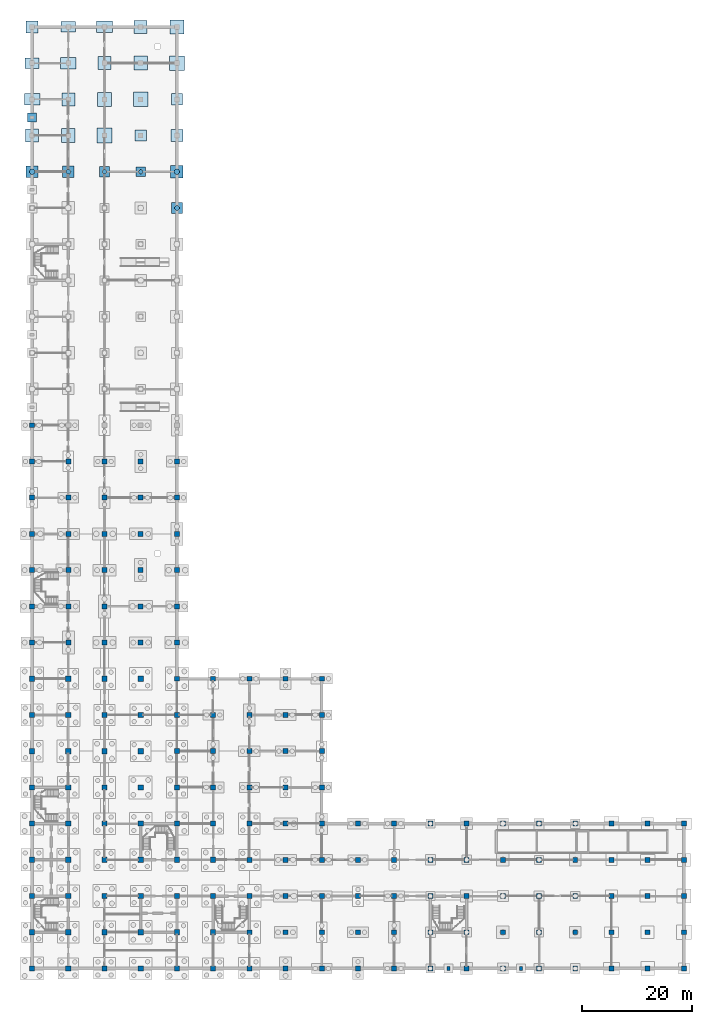
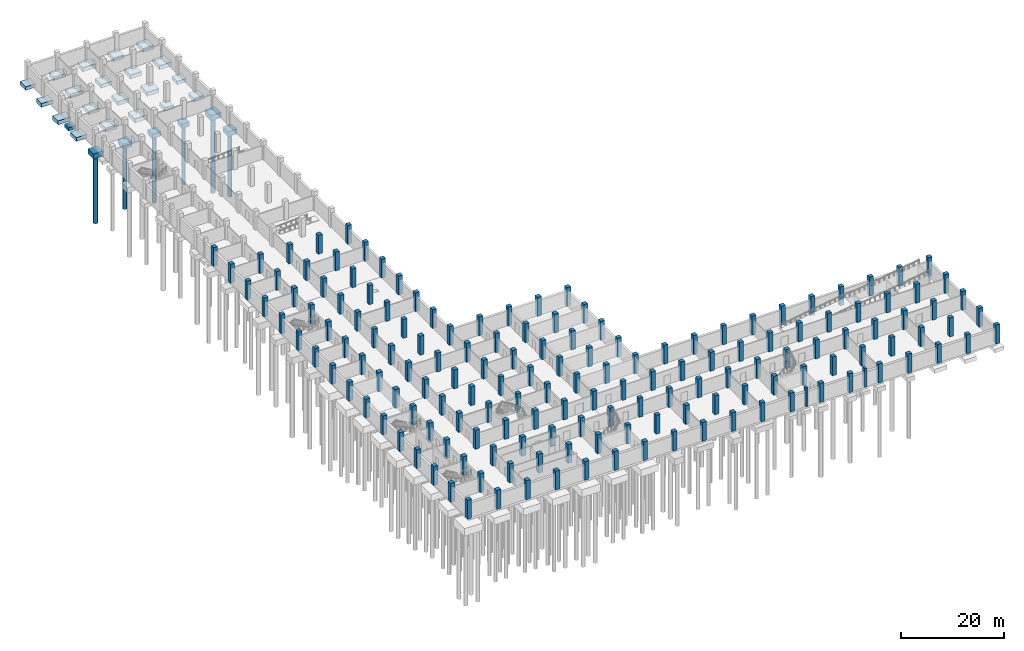
# One storey, part 5 of 18: 164 columns, 27 footings, 6 piles.
"""IFC4 building model written with IfcOpenShell, lengths in metres."""

from ifc_helpers import new_model, si_unit, direction, frame, origin, origin_2d, place, context, subcontext, project, spatial, rectangle, circle, extrude, material, material_profile, profile_set, type_object, element, save


model = new_model("IFC4")

# Units and contexts
model_context = context("Model", 3, precision=1e-05, world=origin(), true_north=direction((0.0, 1.0)))
body_context = subcontext(model_context, "Body", "Model", "MODEL_VIEW")
ifc_project = project(units=[si_unit("LENGTHUNIT", "METRE"), si_unit("AREAUNIT", "SQUARE_METRE"), si_unit("VOLUMEUNIT", "CUBIC_METRE"), si_unit("PLANEANGLEUNIT", "RADIAN"), si_unit("MASSUNIT", "GRAM", prefix="KILO")], contexts=[model_context])

# Site, building, storey
site_placement = place(None, origin())
site = spatial("IfcSite", under=ifc_project, at=site_placement, CompositionType="ELEMENT")
building_placement = place(site_placement, origin())
building = spatial("IfcBuilding", under=site, at=building_placement, Name="Rusizi Kubbe Research Institute", CompositionType="ELEMENT")
storey_placement = place(building_placement, frame((0.0, 0.0, -4.5)))
storey = spatial("IfcBuildingStorey", under=building, at=storey_placement, Name="B01", CompositionType="ELEMENT", Elevation=-4.5)

# Piles
ifc_material_1 = material(Name="Concrete C40/50", Category="concrete")
ifc_material_profile_1 = material_profile(ifc_material_1, circle(Radius=0.39990234375, at=origin_2d()), Name="PILE-D800")
ifc_profile_set_1 = profile_set([ifc_material_profile_1], Name="Concrete C40/50")
pile_type_1 = type_object("IfcPileType", Name="P-01", PredefinedType="BORED", material=ifc_profile_set_1)
pile_1_placement = place(storey_placement, frame((19.800048828125, 145.199951171875, -1.760009765625), z_axis=(0.0, 0.0, -1.0), x_axis=(1.0, 0.0, 0.0)))
element("IfcPile", 1, at=pile_1_placement, inside=storey, type_object=pile_type_1, Name="Bored Pile P-01 (3,22)-1", PredefinedType="BORED", context=body_context, shape_type="SweptSolid", body=[
    extrude(circle(Radius=0.39990234375, at=origin_2d()), origin(), (0.0, 0.0, 1.0), 14.0),
])
ifc_material_2 = material(Name="Concrete C40/50", Category="concrete")
ifc_material_profile_2 = material_profile(ifc_material_2, circle(Radius=0.39990234375, at=origin_2d()), Name="PILE-D800")
ifc_profile_set_2 = profile_set([ifc_material_profile_2], Name="Concrete C40/50")
pile_type_2 = type_object("IfcPileType", Name="P-02", PredefinedType="BORED", material=ifc_profile_set_2)
pile_2_placement = place(storey_placement, frame((13.199951171875, 145.199951171875, -1.820068359375), z_axis=(0.0, 0.0, -1.0), x_axis=(1.0, 0.0, 0.0)))
element("IfcPile", 2, at=pile_2_placement, inside=storey, type_object=pile_type_2, Name="Bored Pile P-02 (2,22)-1", PredefinedType="BORED", context=body_context, shape_type="SweptSolid", body=[
    extrude(circle(Radius=0.39990234375, at=origin_2d()), origin(), (0.0, 0.0, 1.0), 16.0),
])
ifc_material_3 = material(Name="Concrete C40/50", Category="concrete")
ifc_material_profile_3 = material_profile(ifc_material_3, circle(Radius=0.449951171875, at=origin_2d()), Name="PILE-D900")
ifc_profile_set_3 = profile_set([ifc_material_profile_3], Name="Concrete C40/50")
pile_type_3 = type_object("IfcPileType", Name="P-03", PredefinedType="BORED", material=ifc_profile_set_3)
for number, where, z_axis, x_axis, name in (
    (3, (6.60009765625, 145.199951171875, -1.8798828125), (0.0, 0.0, -1.0), (1.0, 0.0, 0.0), "Bored Pile P-03 (1,22)-1"),
    (4, (26.39990234375, 138.60009765625, -1.8798828125), (0.0, 0.0, -1.0), (1.0, 0.0, 0.0), "Bored Pile P-03 (4,21)-1"),
):
    element("IfcPile", number, at=place(storey_placement, frame(where, z_axis=z_axis, x_axis=x_axis)), inside=storey, type_object=pile_type_3, Name=name, PredefinedType="BORED", context=body_context, shape_type="SweptSolid", body=[
        extrude(circle(Radius=0.449951171875, at=origin_2d()), origin(), (0.0, 0.0, 1.0), 15.0),
    ])
ifc_material_4 = material(Name="Concrete C40/50", Category="concrete")
ifc_material_profile_4 = material_profile(ifc_material_4, circle(Radius=0.5, at=origin_2d()), Name="PILE-D1000")
ifc_profile_set_4 = profile_set([ifc_material_profile_4], Name="Concrete C40/50")
pile_type_4 = type_object("IfcPileType", Name="P-05", PredefinedType="BORED", material=ifc_profile_set_4)
pile_3_placement = place(storey_placement, frame((0.0, 145.199951171875, -1.919921875), z_axis=(0.0, 0.0, -1.0), x_axis=(1.0, 0.0, 0.0)))
element("IfcPile", 5, at=pile_3_placement, inside=storey, type_object=pile_type_4, Name="Bored Pile P-05 (0,22)-1", PredefinedType="BORED", context=body_context, shape_type="SweptSolid", body=[
    extrude(circle(Radius=0.5, at=origin_2d()), origin(), (0.0, 0.0, 1.0), 16.0),
])
ifc_material_5 = material(Name="Concrete C40/50", Category="concrete")
ifc_material_profile_5 = material_profile(ifc_material_5, circle(Radius=0.5, at=origin_2d()), Name="PILE-D1000")
ifc_profile_set_5 = profile_set([ifc_material_profile_5], Name="Concrete C40/50")
pile_type_5 = type_object("IfcPileType", Name="P-06", PredefinedType="BORED", material=ifc_profile_set_5)
pile_4_placement = place(storey_placement, frame((26.39990234375, 145.199951171875, -1.9599609375), z_axis=(0.0, 0.0, -1.0), x_axis=(1.0, 0.0, 0.0)))
element("IfcPile", 6, at=pile_4_placement, inside=storey, type_object=pile_type_5, Name="Bored Pile P-06 (4,22)-1", PredefinedType="BORED", context=body_context, shape_type="SweptSolid", body=[
    extrude(circle(Radius=0.5, at=origin_2d()), origin(), (0.0, 0.0, 1.0), 18.0),
])

# Footings
ifc_material_6 = material(Name="Concrete C40/50", Category="concrete")
footing_type_1 = type_object("IfcFootingType", Name="PC-15", PredefinedType="PILE_CAP", material=ifc_material_6)
footing_1_placement = place(storey_placement, frame((0.0, 145.199951171875, -1.919921875), z_axis=(0.0, 0.0, 1.0), x_axis=(1.0, 0.0, 0.0)))
element("IfcFooting", 7, at=footing_1_placement, inside=storey, type_object=footing_type_1, Name="Pile Cap PC-15 (0,22)", PredefinedType="PILE_CAP", context=body_context, shape_type="SweptSolid", body=[
    extrude(rectangle(XDim=2.159912109375, YDim=2.159912109375, at=origin_2d()), origin(), (0.0, 0.0, 1.0), 1.219970703125),
])
ifc_material_7 = material(Name="Concrete C40/50", Category="concrete")
footing_type_2 = type_object("IfcFootingType", Name="PC-16", PredefinedType="PILE_CAP", material=ifc_material_7)
for number, where, z_axis, x_axis, name in (
    (8, (6.60009765625, 145.199951171875, -1.8798828125), (0.0, 0.0, 1.0), (1.0, 0.0, 0.0), "Pile Cap PC-16 (1,22)"),
    (9, (26.39990234375, 138.60009765625, -1.8798828125), (0.0, 0.0, 1.0), (1.0, 0.0, 0.0), "Pile Cap PC-16 (4,21)"),
):
    element("IfcFooting", number, at=place(storey_placement, frame(where, z_axis=z_axis, x_axis=x_axis)), inside=storey, type_object=footing_type_2, Name=name, PredefinedType="PILE_CAP", context=body_context, shape_type="SweptSolid", body=[
        extrude(rectangle(XDim=2.02001953125, YDim=2.02001953125, at=origin_2d()), origin(), (0.0, 0.0, 1.0), 1.179931640625),
    ])
ifc_material_8 = material(Name="Concrete C40/50", Category="concrete")
footing_type_3 = type_object("IfcFootingType", Name="PC-17", PredefinedType="PILE_CAP", material=ifc_material_8)
footing_2_placement = place(storey_placement, frame((13.199951171875, 145.199951171875, -1.820068359375), z_axis=(0.0, 0.0, 1.0), x_axis=(1.0, 0.0, 0.0)))
element("IfcFooting", 10, at=footing_2_placement, inside=storey, type_object=footing_type_3, Name="Pile Cap PC-17 (2,22)", PredefinedType="PILE_CAP", context=body_context, shape_type="SweptSolid", body=[
    extrude(rectangle(XDim=1.8798828125, YDim=1.8798828125, at=origin_2d()), origin(), (0.0, 0.0, 1.0), 1.1201171875),
])
ifc_material_9 = material(Name="Concrete C40/50", Category="concrete")
footing_type_4 = type_object("IfcFootingType", Name="PC-18", PredefinedType="PILE_CAP", material=ifc_material_9)
footing_3_placement = place(storey_placement, frame((19.800048828125, 145.199951171875, -1.760009765625), z_axis=(0.0, 0.0, 1.0), x_axis=(1.0, 0.0, 0.0)))
element("IfcFooting", 11, at=footing_3_placement, inside=storey, type_object=footing_type_4, Name="Pile Cap PC-18 (3,22)", PredefinedType="PILE_CAP", context=body_context, shape_type="SweptSolid", body=[
    extrude(rectangle(XDim=1.739990234375, YDim=1.739990234375, at=origin_2d()), origin(), (0.0, 0.0, 1.0), 1.06005859375),
])
ifc_material_10 = material(Name="Concrete C40/50", Category="concrete")
footing_type_5 = type_object("IfcFootingType", Name="PC-19", PredefinedType="PILE_CAP", material=ifc_material_10)
footing_4_placement = place(storey_placement, frame((26.39990234375, 145.199951171875, -1.9599609375), z_axis=(0.0, 0.0, 1.0), x_axis=(1.0, 0.0, 0.0)))
element("IfcFooting", 12, at=footing_4_placement, inside=storey, type_object=footing_type_5, Name="Pile Cap PC-19 (4,22)", PredefinedType="PILE_CAP", context=body_context, shape_type="SweptSolid", body=[
    extrude(rectangle(XDim=2.280029296875, YDim=2.280029296875, at=origin_2d()), origin(), (0.0, 0.0, 1.0), 1.260009765625),
])
ifc_material_11 = material(Name="Concrete C40/50", Category="concrete")
footing_type_6 = type_object("IfcFootingType", Name="PF-01", PredefinedType="PAD_FOOTING", material=ifc_material_11)
for number, where, z_axis, x_axis, name in (
    (13, (13.199951171875, 151.800048828125, -1.659912109375), (0.0, 0.0, 1.0), (1.0, 0.0, 0.0), "Pad Footing PF-01 (2,23)"),
    (14, (19.800048828125, 158.39990234375, -1.659912109375), (0.0, 0.0, 1.0), (1.0, 0.0, 0.0), "Pad Footing PF-01 (3,24)"),
    (15, (26.39990234375, 165.0, -1.659912109375), (0.0, 0.0, 1.0), (1.0, 0.0, 0.0), "Pad Footing PF-01 (4,25)"),
):
    element("IfcFooting", number, at=place(storey_placement, frame(where, z_axis=z_axis, x_axis=x_axis)), inside=storey, type_object=footing_type_6, Name=name, PredefinedType="PAD_FOOTING", context=body_context, shape_type="SweptSolid", body=[
        extrude(rectangle(XDim=2.679931640625, YDim=2.679931640625, at=origin_2d()), origin(), (0.0, 0.0, 1.0), 0.9599609375),
    ])
ifc_material_12 = material(Name="Concrete C40/50", Category="concrete")
footing_type_7 = type_object("IfcFootingType", Name="PF-02", PredefinedType="PAD_FOOTING", material=ifc_material_12)
for number, where, z_axis, x_axis, name in (
    (16, (6.60009765625, 151.800048828125, -1.619873046875), (0.0, 0.0, 1.0), (1.0, 0.0, 0.0), "Pad Footing PF-02 (1,23)"),
    (17, (13.199951171875, 158.39990234375, -1.619873046875), (0.0, 0.0, 1.0), (1.0, 0.0, 0.0), "Pad Footing PF-02 (2,24)"),
    (18, (19.800048828125, 165.0, -1.619873046875), (0.0, 0.0, 1.0), (1.0, 0.0, 0.0), "Pad Footing PF-02 (3,25)"),
    (19, (26.39990234375, 171.60009765625, -1.619873046875), (0.0, 0.0, 1.0), (1.0, 0.0, 0.0), "Pad Footing PF-02 (4,26)"),
):
    element("IfcFooting", number, at=place(storey_placement, frame(where, z_axis=z_axis, x_axis=x_axis)), inside=storey, type_object=footing_type_7, Name=name, PredefinedType="PAD_FOOTING", context=body_context, shape_type="SweptSolid", body=[
        extrude(rectangle(XDim=2.52001953125, YDim=2.52001953125, at=origin_2d()), origin(), (0.0, 0.0, 1.0), 0.919921875),
    ])
ifc_material_13 = material(Name="Concrete C40/50", Category="concrete")
footing_type_8 = type_object("IfcFootingType", Name="PF-03", PredefinedType="PAD_FOOTING", material=ifc_material_13)
for number, where, z_axis, x_axis, name in (
    (20, (0.0, 151.800048828125, -1.579833984375), (0.0, 0.0, 1.0), (1.0, 0.0, 0.0), "Pad Footing PF-03 (0,23)"),
    (21, (6.60009765625, 158.39990234375, -1.579833984375), (0.0, 0.0, 1.0), (1.0, 0.0, 0.0), "Pad Footing PF-03 (1,24)"),
    (22, (13.199951171875, 165.0, -1.579833984375), (0.0, 0.0, 1.0), (1.0, 0.0, 0.0), "Pad Footing PF-03 (2,25)"),
    (23, (19.800048828125, 171.60009765625, -1.579833984375), (0.0, 0.0, 1.0), (1.0, 0.0, 0.0), "Pad Footing PF-03 (3,26)"),
):
    element("IfcFooting", number, at=place(storey_placement, frame(where, z_axis=z_axis, x_axis=x_axis)), inside=storey, type_object=footing_type_8, Name=name, PredefinedType="PAD_FOOTING", context=body_context, shape_type="SweptSolid", body=[
        extrude(rectangle(XDim=2.360107421875, YDim=2.360107421875, at=origin_2d()), origin(), (0.0, 0.0, 1.0), 0.8798828125),
    ])
ifc_material_14 = material(Name="Concrete C40/50", Category="concrete")
footing_type_9 = type_object("IfcFootingType", Name="PF-04", PredefinedType="PAD_FOOTING", material=ifc_material_14)
footing_5_placement = place(storey_placement, frame((0.0, 155.10009765625, -1.5), z_axis=(0.0, 0.0, 1.0), x_axis=(1.0, 0.0, 0.0)))
element("IfcFooting", 24, at=footing_5_placement, inside=storey, type_object=footing_type_9, Name="Pilaster Pad Footing PF-04 W23", PredefinedType="PAD_FOOTING", context=body_context, shape_type="SweptSolid", body=[
    extrude(rectangle(XDim=1.580078125, YDim=1.580078125, at=origin_2d()), origin(), (0.0, 0.0, 1.0), 0.800048828125),
])
ifc_material_15 = material(Name="Concrete C40/50", Category="concrete")
footing_type_10 = type_object("IfcFootingType", Name="PF-05", PredefinedType="PAD_FOOTING", material=ifc_material_15)
for number, where, z_axis, x_axis, name in (
    (25, (0.0, 158.39990234375, -1.639892578125), (0.0, 0.0, 1.0), (1.0, 0.0, 0.0), "Pad Footing PF-05 (0,24)"),
    (26, (6.60009765625, 165.0, -1.639892578125), (0.0, 0.0, 1.0), (1.0, 0.0, 0.0), "Pad Footing PF-05 (1,25)"),
    (27, (13.199951171875, 171.60009765625, -1.639892578125), (0.0, 0.0, 1.0), (1.0, 0.0, 0.0), "Pad Footing PF-05 (2,26)"),
):
    element("IfcFooting", number, at=place(storey_placement, frame(where, z_axis=z_axis, x_axis=x_axis)), inside=storey, type_object=footing_type_10, Name=name, PredefinedType="PAD_FOOTING", context=body_context, shape_type="SweptSolid", body=[
        extrude(rectangle(XDim=2.840087890625, YDim=2.1201171875, at=origin_2d()), origin(), (0.0, 0.0, 1.0), 0.93994140625),
    ])
ifc_material_16 = material(Name="Concrete C40/50", Category="concrete")
footing_type_11 = type_object("IfcFootingType", Name="PF-06", PredefinedType="PAD_FOOTING", material=ifc_material_16)
for number, where, z_axis, x_axis, name in (
    (28, (0.0, 165.0, -1.56005859375), (0.0, 0.0, 1.0), (1.0, 0.0, 0.0), "Pad Footing PF-06 (0,25)"),
    (29, (6.60009765625, 171.60009765625, -1.56005859375), (0.0, 0.0, 1.0), (1.0, 0.0, 0.0), "Pad Footing PF-06 (1,26)"),
):
    element("IfcFooting", number, at=place(storey_placement, frame(where, z_axis=z_axis, x_axis=x_axis)), inside=storey, type_object=footing_type_11, Name=name, PredefinedType="PAD_FOOTING", context=body_context, shape_type="SweptSolid", body=[
        extrude(rectangle(XDim=2.60009765625, YDim=1.93994140625, at=origin_2d()), origin(), (0.0, 0.0, 1.0), 0.860107421875),
    ])
ifc_material_17 = material(Name="Concrete C40/50", Category="concrete")
footing_type_12 = type_object("IfcFootingType", Name="PF-07", PredefinedType="PAD_FOOTING", material=ifc_material_17)
for number, where, z_axis, x_axis, name in (
    (30, (0.0, 171.60009765625, -1.5400390625), (0.0, 0.0, 1.0), (1.0, 0.0, 0.0), "Pad Footing PF-07 (0,26)"),
    (31, (26.39990234375, 151.800048828125, -1.5400390625), (0.0, 0.0, 1.0), (1.0, 0.0, 0.0), "Pad Footing PF-07 (4,23)"),
):
    element("IfcFooting", number, at=place(storey_placement, frame(where, z_axis=z_axis, x_axis=x_axis)), inside=storey, type_object=footing_type_12, Name=name, PredefinedType="PAD_FOOTING", context=body_context, shape_type="SweptSolid", body=[
        extrude(rectangle(XDim=2.199951171875, YDim=2.199951171875, at=origin_2d()), origin(), (0.0, 0.0, 1.0), 0.840087890625),
    ])
ifc_material_18 = material(Name="Concrete C40/50", Category="concrete")
footing_type_13 = type_object("IfcFootingType", Name="PF-08", PredefinedType="PAD_FOOTING", material=ifc_material_18)
for number, where, z_axis, x_axis, name in (
    (32, (19.800048828125, 151.800048828125, -1.52001953125), (0.0, 0.0, 1.0), (1.0, 0.0, 0.0), "Pad Footing PF-08 (3,23)"),
    (33, (26.39990234375, 158.39990234375, -1.52001953125), (0.0, 0.0, 1.0), (1.0, 0.0, 0.0), "Pad Footing PF-08 (4,24)"),
):
    element("IfcFooting", number, at=place(storey_placement, frame(where, z_axis=z_axis, x_axis=x_axis)), inside=storey, type_object=footing_type_13, Name=name, PredefinedType="PAD_FOOTING", context=body_context, shape_type="SweptSolid", body=[
        extrude(rectangle(XDim=2.0400390625, YDim=2.0400390625, at=origin_2d()), origin(), (0.0, 0.0, 1.0), 0.820068359375),
    ])

# Columns
ifc_material_19 = material(Name="Concrete C45/55", Category="concrete")
ifc_material_profile_6 = material_profile(ifc_material_19, rectangle(XDim=0.89990234375, YDim=0.89990234375, at=origin_2d()), Name="RC900x900")
ifc_profile_set_6 = profile_set([ifc_material_profile_6], Name="Concrete C45/55")
column_type_1 = type_object("IfcColumnType", Name="COL-900", PredefinedType="COLUMN", material=ifc_profile_set_6)
for number, where, z_axis, x_axis, name in (
    (34, (0.0, 59.39990234375, 0.0), (0.0, 0.0, 1.0), (1.0, 0.0, 0.0), "Column 1K B01"),
    (35, (0.0, 66.0, 0.0), (0.0, 0.0, 1.0), (1.0, 0.0, 0.0), "Column 1L B01"),
    (36, (0.0, 72.60009765625, 0.0), (0.0, 0.0, 1.0), (1.0, 0.0, 0.0), "Column 1M B01"),
    (37, (0.0, 79.199951171875, 0.0), (0.0, 0.0, 1.0), (1.0, 0.0, 0.0), "Column 1N B01"),
    (38, (0.0, 85.800048828125, 0.0), (0.0, 0.0, 1.0), (1.0, 0.0, 0.0), "Column 1P B01"),
    (39, (0.0, 92.39990234375, 0.0), (0.0, 0.0, 1.0), (1.0, 0.0, 0.0), "Column 1Q B01"),
    (40, (0.0, 99.0, 0.0), (0.0, 0.0, 1.0), (1.0, 0.0, 0.0), "Column 1R B01"),
    (41, (6.60009765625, 59.39990234375, 0.0), (0.0, 0.0, 1.0), (1.0, 0.0, 0.0), "Column 2K B01"),
    (42, (6.60009765625, 66.0, 0.0), (0.0, 0.0, 1.0), (1.0, 0.0, 0.0), "Column 2L B01"),
    (43, (6.60009765625, 72.60009765625, 0.0), (0.0, 0.0, 1.0), (1.0, 0.0, 0.0), "Column 2M B01"),
    (44, (6.60009765625, 79.199951171875, 0.0), (0.0, 0.0, 1.0), (1.0, 0.0, 0.0), "Column 2N B01"),
    (45, (6.60009765625, 85.800048828125, 0.0), (0.0, 0.0, 1.0), (1.0, 0.0, 0.0), "Column 2P B01"),
    (46, (6.60009765625, 92.39990234375, 0.0), (0.0, 0.0, 1.0), (1.0, 0.0, 0.0), "Column 2Q B01"),
    (47, (13.199951171875, 59.39990234375, 0.0), (0.0, 0.0, 1.0), (1.0, 0.0, 0.0), "Column 3K B01"),
    (48, (13.199951171875, 66.0, 0.0), (0.0, 0.0, 1.0), (1.0, 0.0, 0.0), "Column 3L B01"),
    (49, (13.199951171875, 72.60009765625, 0.0), (0.0, 0.0, 1.0), (1.0, 0.0, 0.0), "Column 3M B01"),
    (50, (13.199951171875, 79.199951171875, 0.0), (0.0, 0.0, 1.0), (1.0, 0.0, 0.0), "Column 3N B01"),
    (51, (13.199951171875, 85.800048828125, 0.0), (0.0, 0.0, 1.0), (1.0, 0.0, 0.0), "Column 3P B01"),
    (52, (13.199951171875, 92.39990234375, 0.0), (0.0, 0.0, 1.0), (1.0, 0.0, 0.0), "Column 3Q B01"),
    (53, (19.800048828125, 59.39990234375, 0.0), (0.0, 0.0, 1.0), (1.0, 0.0, 0.0), "Column 4K B01"),
    (54, (19.800048828125, 66.0, 0.0), (0.0, 0.0, 1.0), (1.0, 0.0, 0.0), "Column 4L B01"),
    (55, (19.800048828125, 72.60009765625, 0.0), (0.0, 0.0, 1.0), (1.0, 0.0, 0.0), "Column 4M B01"),
    (56, (19.800048828125, 79.199951171875, 0.0), (0.0, 0.0, 1.0), (1.0, 0.0, 0.0), "Column 4N B01"),
    (57, (19.800048828125, 85.800048828125, 0.0), (0.0, 0.0, 1.0), (1.0, 0.0, 0.0), "Column 4P B01"),
    (58, (19.800048828125, 92.39990234375, 0.0), (0.0, 0.0, 1.0), (1.0, 0.0, 0.0), "Column 4Q B01"),
    (59, (26.39990234375, 26.39990234375, 0.0), (0.0, 0.0, 1.0), (1.0, 0.0, 0.0), "Column 5E B01"),
    (60, (26.39990234375, 33.0, 0.0), (0.0, 0.0, 1.0), (1.0, 0.0, 0.0), "Column 5F B01"),
    (61, (26.39990234375, 39.60009765625, 0.0), (0.0, 0.0, 1.0), (1.0, 0.0, 0.0), "Column 5G B01"),
    (62, (26.39990234375, 46.199951171875, 0.0), (0.0, 0.0, 1.0), (1.0, 0.0, 0.0), "Column 5H B01"),
    (63, (26.39990234375, 52.800048828125, 0.0), (0.0, 0.0, 1.0), (1.0, 0.0, 0.0), "Column 5J B01"),
    (64, (26.39990234375, 59.39990234375, 0.0), (0.0, 0.0, 1.0), (1.0, 0.0, 0.0), "Column 5K B01"),
    (65, (26.39990234375, 66.0, 0.0), (0.0, 0.0, 1.0), (1.0, 0.0, 0.0), "Column 5L B01"),
    (66, (26.39990234375, 72.60009765625, 0.0), (0.0, 0.0, 1.0), (1.0, 0.0, 0.0), "Column 5M B01"),
    (67, (26.39990234375, 79.199951171875, 0.0), (0.0, 0.0, 1.0), (1.0, 0.0, 0.0), "Column 5N B01"),
    (68, (26.39990234375, 85.800048828125, 0.0), (0.0, 0.0, 1.0), (1.0, 0.0, 0.0), "Column 5P B01"),
    (69, (26.39990234375, 92.39990234375, 0.0), (0.0, 0.0, 1.0), (1.0, 0.0, 0.0), "Column 5Q B01"),
    (70, (33.0, 26.39990234375, 0.0), (0.0, 0.0, 1.0), (1.0, 0.0, 0.0), "Column 6E B01"),
    (71, (33.0, 33.0, 0.0), (0.0, 0.0, 1.0), (1.0, 0.0, 0.0), "Column 6F B01"),
    (72, (33.0, 39.60009765625, 0.0), (0.0, 0.0, 1.0), (1.0, 0.0, 0.0), "Column 6G B01"),
    (73, (33.0, 46.199951171875, 0.0), (0.0, 0.0, 1.0), (1.0, 0.0, 0.0), "Column 6H B01"),
    (74, (33.0, 52.800048828125, 0.0), (0.0, 0.0, 1.0), (1.0, 0.0, 0.0), "Column 6J B01"),
    (75, (39.60009765625, 0.0, 0.0), (0.0, 0.0, 1.0), (1.0, 0.0, 0.0), "Column 7A B01"),
    (76, (39.60009765625, 6.60009765625, 0.0), (0.0, 0.0, 1.0), (1.0, 0.0, 0.0), "Column 7B B01"),
    (77, (39.60009765625, 13.199951171875, 0.0), (0.0, 0.0, 1.0), (1.0, 0.0, 0.0), "Column 7C B01"),
    (78, (39.60009765625, 19.800048828125, 0.0), (0.0, 0.0, 1.0), (1.0, 0.0, 0.0), "Column 7D B01"),
    (79, (39.60009765625, 26.39990234375, 0.0), (0.0, 0.0, 1.0), (1.0, 0.0, 0.0), "Column 7E B01"),
    (80, (39.60009765625, 33.0, 0.0), (0.0, 0.0, 1.0), (1.0, 0.0, 0.0), "Column 7F B01"),
    (81, (39.60009765625, 39.60009765625, 0.0), (0.0, 0.0, 1.0), (1.0, 0.0, 0.0), "Column 7G B01"),
    (82, (39.60009765625, 46.199951171875, 0.0), (0.0, 0.0, 1.0), (1.0, 0.0, 0.0), "Column 7H B01"),
    (83, (39.60009765625, 52.800048828125, 0.0), (0.0, 0.0, 1.0), (1.0, 0.0, 0.0), "Column 7J B01"),
    (84, (46.199951171875, 0.0, 0.0), (0.0, 0.0, 1.0), (1.0, 0.0, 0.0), "Column 8A B01"),
    (85, (46.199951171875, 6.60009765625, 0.0), (0.0, 0.0, 1.0), (1.0, 0.0, 0.0), "Column 8B B01"),
    (86, (46.199951171875, 13.199951171875, 0.0), (0.0, 0.0, 1.0), (1.0, 0.0, 0.0), "Column 8C B01"),
    (87, (46.199951171875, 19.800048828125, 0.0), (0.0, 0.0, 1.0), (1.0, 0.0, 0.0), "Column 8D B01"),
    (88, (46.199951171875, 26.39990234375, 0.0), (0.0, 0.0, 1.0), (1.0, 0.0, 0.0), "Column 8E B01"),
    (89, (46.199951171875, 33.0, 0.0), (0.0, 0.0, 1.0), (1.0, 0.0, 0.0), "Column 8F B01"),
    (90, (46.199951171875, 39.60009765625, 0.0), (0.0, 0.0, 1.0), (1.0, 0.0, 0.0), "Column 8G B01"),
    (91, (46.199951171875, 46.199951171875, 0.0), (0.0, 0.0, 1.0), (1.0, 0.0, 0.0), "Column 8H B01"),
    (92, (46.199951171875, 52.800048828125, 0.0), (0.0, 0.0, 1.0), (1.0, 0.0, 0.0), "Column 8J B01"),
    (93, (52.800048828125, 0.0, 0.0), (0.0, 0.0, 1.0), (1.0, 0.0, 0.0), "Column 9A B01"),
    (94, (52.800048828125, 6.60009765625, 0.0), (0.0, 0.0, 1.0), (1.0, 0.0, 0.0), "Column 9B B01"),
    (95, (52.800048828125, 13.199951171875, 0.0), (0.0, 0.0, 1.0), (1.0, 0.0, 0.0), "Column 9C B01"),
    (96, (52.800048828125, 19.800048828125, 0.0), (0.0, 0.0, 1.0), (1.0, 0.0, 0.0), "Column 9D B01"),
    (97, (52.800048828125, 26.39990234375, 0.0), (0.0, 0.0, 1.0), (1.0, 0.0, 0.0), "Column 9E B01"),
    (98, (52.800048828125, 33.0, 0.0), (0.0, 0.0, 1.0), (1.0, 0.0, 0.0), "Column 9F B01"),
    (99, (52.800048828125, 39.60009765625, 0.0), (0.0, 0.0, 1.0), (1.0, 0.0, 0.0), "Column 9G B01"),
    (100, (52.800048828125, 46.199951171875, 0.0), (0.0, 0.0, 1.0), (1.0, 0.0, 0.0), "Column 9H B01"),
    (101, (52.800048828125, 52.800048828125, 0.0), (0.0, 0.0, 1.0), (1.0, 0.0, 0.0), "Column 9J B01"),
    (102, (59.39990234375, 0.0, 0.0), (0.0, 0.0, 1.0), (1.0, 0.0, 0.0), "Column 10A B01"),
    (103, (59.39990234375, 6.60009765625, 0.0), (0.0, 0.0, 1.0), (1.0, 0.0, 0.0), "Column 10B B01"),
    (104, (59.39990234375, 13.199951171875, 0.0), (0.0, 0.0, 1.0), (1.0, 0.0, 0.0), "Column 10C B01"),
    (105, (59.39990234375, 19.800048828125, 0.0), (0.0, 0.0, 1.0), (1.0, 0.0, 0.0), "Column 10D B01"),
    (106, (59.39990234375, 26.39990234375, 0.0), (0.0, 0.0, 1.0), (1.0, 0.0, 0.0), "Column 10E B01"),
    (107, (66.0, 0.0, 0.0), (0.0, 0.0, 1.0), (1.0, 0.0, 0.0), "Column 11A B01"),
    (108, (66.0, 6.60009765625, 0.0), (0.0, 0.0, 1.0), (1.0, 0.0, 0.0), "Column 11B B01"),
    (109, (66.0, 13.199951171875, 0.0), (0.0, 0.0, 1.0), (1.0, 0.0, 0.0), "Column 11C B01"),
    (110, (66.0, 19.800048828125, 0.0), (0.0, 0.0, 1.0), (1.0, 0.0, 0.0), "Column 11D B01"),
    (111, (66.0, 26.39990234375, 0.0), (0.0, 0.0, 1.0), (1.0, 0.0, 0.0), "Column 11E B01"),
    (112, (72.60009765625, 0.0, 0.0), (0.0, 0.0, 1.0), (1.0, 0.0, 0.0), "Column 12A B01"),
    (113, (72.60009765625, 6.60009765625, 0.0), (0.0, 0.0, 1.0), (1.0, 0.0, 0.0), "Column 12B B01"),
    (114, (72.60009765625, 13.199951171875, 0.0), (0.0, 0.0, 1.0), (1.0, 0.0, 0.0), "Column 12C B01"),
    (115, (72.60009765625, 19.800048828125, 0.0), (0.0, 0.0, 1.0), (1.0, 0.0, 0.0), "Column 12D B01"),
    (116, (72.60009765625, 26.39990234375, 0.0), (0.0, 0.0, 1.0), (1.0, 0.0, 0.0), "Column 12E B01"),
    (117, (79.199951171875, 0.0, 0.0), (0.0, 0.0, 1.0), (1.0, 0.0, 0.0), "Column 13A B01"),
    (118, (79.199951171875, 6.60009765625, 0.0), (0.0, 0.0, 1.0), (1.0, 0.0, 0.0), "Column 13B B01"),
    (119, (79.199951171875, 13.199951171875, 0.0), (0.0, 0.0, 1.0), (1.0, 0.0, 0.0), "Column 13C B01"),
    (120, (79.199951171875, 19.800048828125, 0.0), (0.0, 0.0, 1.0), (1.0, 0.0, 0.0), "Column 13D B01"),
    (121, (79.199951171875, 26.39990234375, 0.0), (0.0, 0.0, 1.0), (1.0, 0.0, 0.0), "Column 13E B01"),
    (122, (85.800048828125, 0.0, 0.0), (0.0, 0.0, 1.0), (1.0, 0.0, 0.0), "Column 14A B01"),
    (123, (85.800048828125, 6.60009765625, 0.0), (0.0, 0.0, 1.0), (1.0, 0.0, 0.0), "Column 14B B01"),
    (124, (85.800048828125, 13.199951171875, 0.0), (0.0, 0.0, 1.0), (1.0, 0.0, 0.0), "Column 14C B01"),
    (125, (85.800048828125, 19.800048828125, 0.0), (0.0, 0.0, 1.0), (1.0, 0.0, 0.0), "Column 14D B01"),
    (126, (85.800048828125, 26.39990234375, 0.0), (0.0, 0.0, 1.0), (1.0, 0.0, 0.0), "Column 14E B01"),
    (127, (92.39990234375, 0.0, 0.0), (0.0, 0.0, 1.0), (1.0, 0.0, 0.0), "Column 15A B01"),
    (128, (92.39990234375, 6.60009765625, 0.0), (0.0, 0.0, 1.0), (1.0, 0.0, 0.0), "Column 15B B01"),
    (129, (92.39990234375, 13.199951171875, 0.0), (0.0, 0.0, 1.0), (1.0, 0.0, 0.0), "Column 15C B01"),
    (130, (92.39990234375, 19.800048828125, 0.0), (0.0, 0.0, 1.0), (1.0, 0.0, 0.0), "Column 15D B01"),
    (131, (92.39990234375, 26.39990234375, 0.0), (0.0, 0.0, 1.0), (1.0, 0.0, 0.0), "Column 15E B01"),
    (132, (99.0, 0.0, 0.0), (0.0, 0.0, 1.0), (1.0, 0.0, 0.0), "Column 16A B01"),
    (133, (99.0, 6.60009765625, 0.0), (0.0, 0.0, 1.0), (1.0, 0.0, 0.0), "Column 16B B01"),
    (134, (99.0, 13.199951171875, 0.0), (0.0, 0.0, 1.0), (1.0, 0.0, 0.0), "Column 16C B01"),
    (135, (99.0, 19.800048828125, 0.0), (0.0, 0.0, 1.0), (1.0, 0.0, 0.0), "Column 16D B01"),
    (136, (99.0, 26.39990234375, 0.0), (0.0, 0.0, 1.0), (1.0, 0.0, 0.0), "Column 16E B01"),
    (137, (105.60009765625, 0.0, 0.0), (0.0, 0.0, 1.0), (1.0, 0.0, 0.0), "Column 17A B01"),
    (138, (105.60009765625, 6.60009765625, 0.0), (0.0, 0.0, 1.0), (1.0, 0.0, 0.0), "Column 17B B01"),
    (139, (105.60009765625, 13.199951171875, 0.0), (0.0, 0.0, 1.0), (1.0, 0.0, 0.0), "Column 17C B01"),
    (140, (105.60009765625, 19.800048828125, 0.0), (0.0, 0.0, 1.0), (1.0, 0.0, 0.0), "Column 17D B01"),
    (141, (105.60009765625, 26.39990234375, 0.0), (0.0, 0.0, 1.0), (1.0, 0.0, 0.0), "Column 17E B01"),
    (142, (112.199951171875, 0.0, 0.0), (0.0, 0.0, 1.0), (1.0, 0.0, 0.0), "Column 18A B01"),
    (143, (112.199951171875, 6.60009765625, 0.0), (0.0, 0.0, 1.0), (1.0, 0.0, 0.0), "Column 18B B01"),
    (144, (112.199951171875, 13.199951171875, 0.0), (0.0, 0.0, 1.0), (1.0, 0.0, 0.0), "Column 18C B01"),
    (145, (112.199951171875, 19.800048828125, 0.0), (0.0, 0.0, 1.0), (1.0, 0.0, 0.0), "Column 18D B01"),
    (146, (112.199951171875, 26.39990234375, 0.0), (0.0, 0.0, 1.0), (1.0, 0.0, 0.0), "Column 18E B01"),
    (147, (118.800048828125, 0.0, 0.0), (0.0, 0.0, 1.0), (1.0, 0.0, 0.0), "Column 19A B01"),
    (148, (118.800048828125, 6.60009765625, 0.0), (0.0, 0.0, 1.0), (1.0, 0.0, 0.0), "Column 19B B01"),
    (149, (118.800048828125, 13.199951171875, 0.0), (0.0, 0.0, 1.0), (1.0, 0.0, 0.0), "Column 19C B01"),
    (150, (118.800048828125, 19.800048828125, 0.0), (0.0, 0.0, 1.0), (1.0, 0.0, 0.0), "Column 19D B01"),
    (151, (118.800048828125, 26.39990234375, 0.0), (0.0, 0.0, 1.0), (1.0, 0.0, 0.0), "Column 19E B01"),
):
    element("IfcColumn", number, at=place(storey_placement, frame(where, z_axis=z_axis, x_axis=x_axis)), inside=storey, type_object=column_type_1, Name=name, PredefinedType="COLUMN", context=body_context, shape_type="SweptSolid", body=[
        extrude(rectangle(XDim=0.89990234375, YDim=0.89990234375, at=origin_2d()), origin(), (0.0, 0.0, 1.0), 4.5),
    ])
ifc_material_20 = material(Name="Concrete C45/55", Category="concrete")
ifc_material_profile_7 = material_profile(ifc_material_20, rectangle(XDim=0.949951171875, YDim=0.949951171875, at=origin_2d()), Name="RC950x950")
ifc_profile_set_7 = profile_set([ifc_material_profile_7], Name="Concrete C45/55")
column_type_2 = type_object("IfcColumnType", Name="COL-950", PredefinedType="COLUMN", material=ifc_profile_set_7)
for number, where, z_axis, x_axis, name in (
    (152, (0.0, 0.0, 0.0), (0.0, 0.0, 1.0), (1.0, 0.0, 0.0), "Column 1A B01"),
    (153, (0.0, 6.60009765625, 0.0), (0.0, 0.0, 1.0), (1.0, 0.0, 0.0), "Column 1B B01"),
    (154, (0.0, 13.199951171875, 0.0), (0.0, 0.0, 1.0), (1.0, 0.0, 0.0), "Column 1C B01"),
    (155, (0.0, 19.800048828125, 0.0), (0.0, 0.0, 1.0), (1.0, 0.0, 0.0), "Column 1D B01"),
    (156, (0.0, 26.39990234375, 0.0), (0.0, 0.0, 1.0), (1.0, 0.0, 0.0), "Column 1E B01"),
    (157, (0.0, 33.0, 0.0), (0.0, 0.0, 1.0), (1.0, 0.0, 0.0), "Column 1F B01"),
    (158, (0.0, 39.60009765625, 0.0), (0.0, 0.0, 1.0), (1.0, 0.0, 0.0), "Column 1G B01"),
    (159, (0.0, 46.199951171875, 0.0), (0.0, 0.0, 1.0), (1.0, 0.0, 0.0), "Column 1H B01"),
    (160, (0.0, 52.800048828125, 0.0), (0.0, 0.0, 1.0), (1.0, 0.0, 0.0), "Column 1J B01"),
    (161, (6.60009765625, 0.0, 0.0), (0.0, 0.0, 1.0), (1.0, 0.0, 0.0), "Column 2A B01"),
    (162, (6.60009765625, 6.60009765625, 0.0), (0.0, 0.0, 1.0), (1.0, 0.0, 0.0), "Column 2B B01"),
    (163, (6.60009765625, 13.199951171875, 0.0), (0.0, 0.0, 1.0), (1.0, 0.0, 0.0), "Column 2C B01"),
    (164, (6.60009765625, 19.800048828125, 0.0), (0.0, 0.0, 1.0), (1.0, 0.0, 0.0), "Column 2D B01"),
    (165, (6.60009765625, 26.39990234375, 0.0), (0.0, 0.0, 1.0), (1.0, 0.0, 0.0), "Column 2E B01"),
    (166, (6.60009765625, 33.0, 0.0), (0.0, 0.0, 1.0), (1.0, 0.0, 0.0), "Column 2F B01"),
    (167, (6.60009765625, 39.60009765625, 0.0), (0.0, 0.0, 1.0), (1.0, 0.0, 0.0), "Column 2G B01"),
    (168, (6.60009765625, 46.199951171875, 0.0), (0.0, 0.0, 1.0), (1.0, 0.0, 0.0), "Column 2H B01"),
    (169, (6.60009765625, 52.800048828125, 0.0), (0.0, 0.0, 1.0), (1.0, 0.0, 0.0), "Column 2J B01"),
    (170, (13.199951171875, 0.0, 0.0), (0.0, 0.0, 1.0), (1.0, 0.0, 0.0), "Column 3A B01"),
    (171, (13.199951171875, 6.60009765625, 0.0), (0.0, 0.0, 1.0), (1.0, 0.0, 0.0), "Column 3B B01"),
    (172, (13.199951171875, 13.199951171875, 0.0), (0.0, 0.0, 1.0), (1.0, 0.0, 0.0), "Column 3C B01"),
    (173, (13.199951171875, 19.800048828125, 0.0), (0.0, 0.0, 1.0), (1.0, 0.0, 0.0), "Column 3D B01"),
    (174, (13.199951171875, 26.39990234375, 0.0), (0.0, 0.0, 1.0), (1.0, 0.0, 0.0), "Column 3E B01"),
    (175, (13.199951171875, 33.0, 0.0), (0.0, 0.0, 1.0), (1.0, 0.0, 0.0), "Column 3F B01"),
    (176, (13.199951171875, 39.60009765625, 0.0), (0.0, 0.0, 1.0), (1.0, 0.0, 0.0), "Column 3G B01"),
    (177, (13.199951171875, 46.199951171875, 0.0), (0.0, 0.0, 1.0), (1.0, 0.0, 0.0), "Column 3H B01"),
    (178, (13.199951171875, 52.800048828125, 0.0), (0.0, 0.0, 1.0), (1.0, 0.0, 0.0), "Column 3J B01"),
    (179, (19.800048828125, 0.0, 0.0), (0.0, 0.0, 1.0), (1.0, 0.0, 0.0), "Column 4A B01"),
    (180, (19.800048828125, 6.60009765625, 0.0), (0.0, 0.0, 1.0), (1.0, 0.0, 0.0), "Column 4B B01"),
    (181, (19.800048828125, 13.199951171875, 0.0), (0.0, 0.0, 1.0), (1.0, 0.0, 0.0), "Column 4C B01"),
    (182, (19.800048828125, 19.800048828125, 0.0), (0.0, 0.0, 1.0), (1.0, 0.0, 0.0), "Column 4D B01"),
    (183, (19.800048828125, 26.39990234375, 0.0), (0.0, 0.0, 1.0), (1.0, 0.0, 0.0), "Column 4E B01"),
    (184, (19.800048828125, 33.0, 0.0), (0.0, 0.0, 1.0), (1.0, 0.0, 0.0), "Column 4F B01"),
    (185, (19.800048828125, 39.60009765625, 0.0), (0.0, 0.0, 1.0), (1.0, 0.0, 0.0), "Column 4G B01"),
    (186, (19.800048828125, 46.199951171875, 0.0), (0.0, 0.0, 1.0), (1.0, 0.0, 0.0), "Column 4H B01"),
    (187, (19.800048828125, 52.800048828125, 0.0), (0.0, 0.0, 1.0), (1.0, 0.0, 0.0), "Column 4J B01"),
    (188, (26.39990234375, 0.0, 0.0), (0.0, 0.0, 1.0), (1.0, 0.0, 0.0), "Column 5A B01"),
    (189, (26.39990234375, 6.60009765625, 0.0), (0.0, 0.0, 1.0), (1.0, 0.0, 0.0), "Column 5B B01"),
    (190, (26.39990234375, 13.199951171875, 0.0), (0.0, 0.0, 1.0), (1.0, 0.0, 0.0), "Column 5C B01"),
    (191, (26.39990234375, 19.800048828125, 0.0), (0.0, 0.0, 1.0), (1.0, 0.0, 0.0), "Column 5D B01"),
    (192, (33.0, 0.0, 0.0), (0.0, 0.0, 1.0), (1.0, 0.0, 0.0), "Column 6A B01"),
    (193, (33.0, 6.60009765625, 0.0), (0.0, 0.0, 1.0), (1.0, 0.0, 0.0), "Column 6B B01"),
    (194, (33.0, 13.199951171875, 0.0), (0.0, 0.0, 1.0), (1.0, 0.0, 0.0), "Column 6C B01"),
    (195, (33.0, 19.800048828125, 0.0), (0.0, 0.0, 1.0), (1.0, 0.0, 0.0), "Column 6D B01"),
):
    element("IfcColumn", number, at=place(storey_placement, frame(where, z_axis=z_axis, x_axis=x_axis)), inside=storey, type_object=column_type_2, Name=name, PredefinedType="COLUMN", context=body_context, shape_type="SweptSolid", body=[
        extrude(rectangle(XDim=0.949951171875, YDim=0.949951171875, at=origin_2d()), origin(), (0.0, 0.0, 1.0), 4.5),
    ])
ifc_material_21 = material(Name="Concrete C45/55", Category="concrete")
ifc_material_profile_8 = material_profile(ifc_material_21, rectangle(XDim=0.5, YDim=0.75, at=origin_2d()), Name="RC500x750")
ifc_profile_set_8 = profile_set([ifc_material_profile_8], Name="Concrete C45/55")
column_type_3 = type_object("IfcColumnType", Name="PIL-500x750", PredefinedType="PILASTER", material=ifc_profile_set_8)
for number, where, z_axis, x_axis, name in (
    (196, (75.89990234375, 0.0, 0.0), (0.0, 0.0, 1.0), (1.0, 0.0, 0.0), "Portal Pilaster S11 B01"),
    (197, (89.10009765625, 0.0, 0.0), (0.0, 0.0, 1.0), (1.0, 0.0, 0.0), "Portal Pilaster S13 B01"),
):
    element("IfcColumn", number, at=place(storey_placement, frame(where, z_axis=z_axis, x_axis=x_axis)), inside=storey, type_object=column_type_3, Name=name, PredefinedType="PILASTER", context=body_context, shape_type="SweptSolid", body=[
        extrude(rectangle(XDim=0.5, YDim=0.75, at=origin_2d()), origin(), (0.0, 0.0, 1.0), 4.5),
    ])

save(model, "model.ifc")
